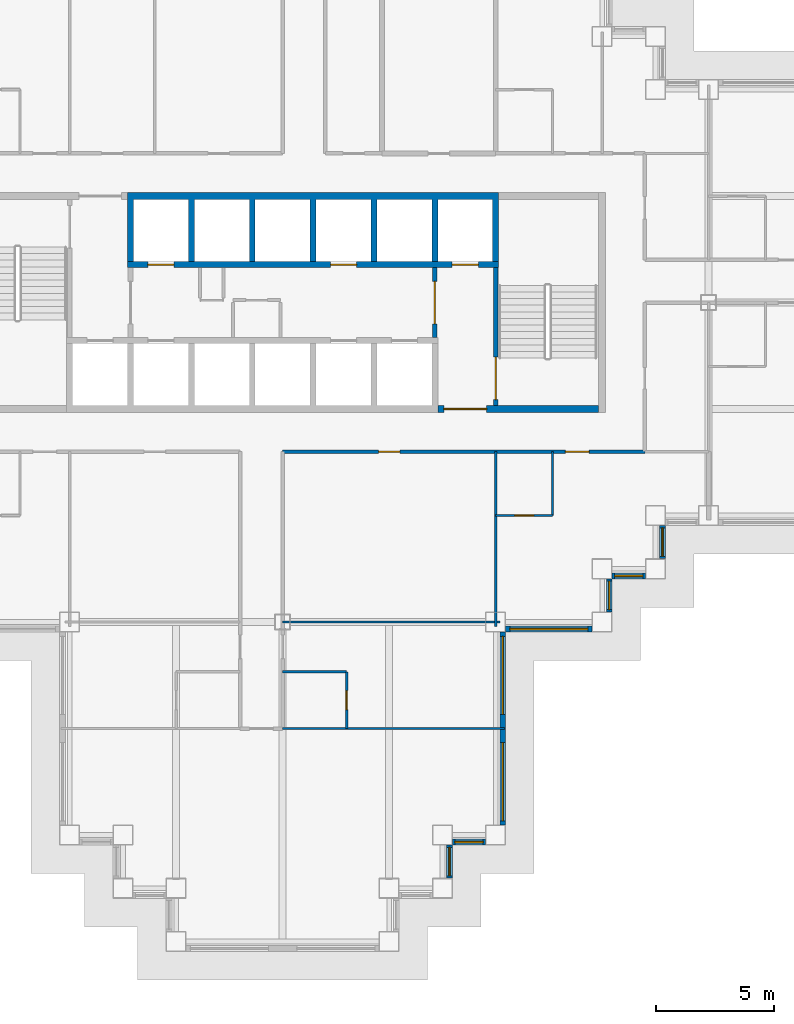
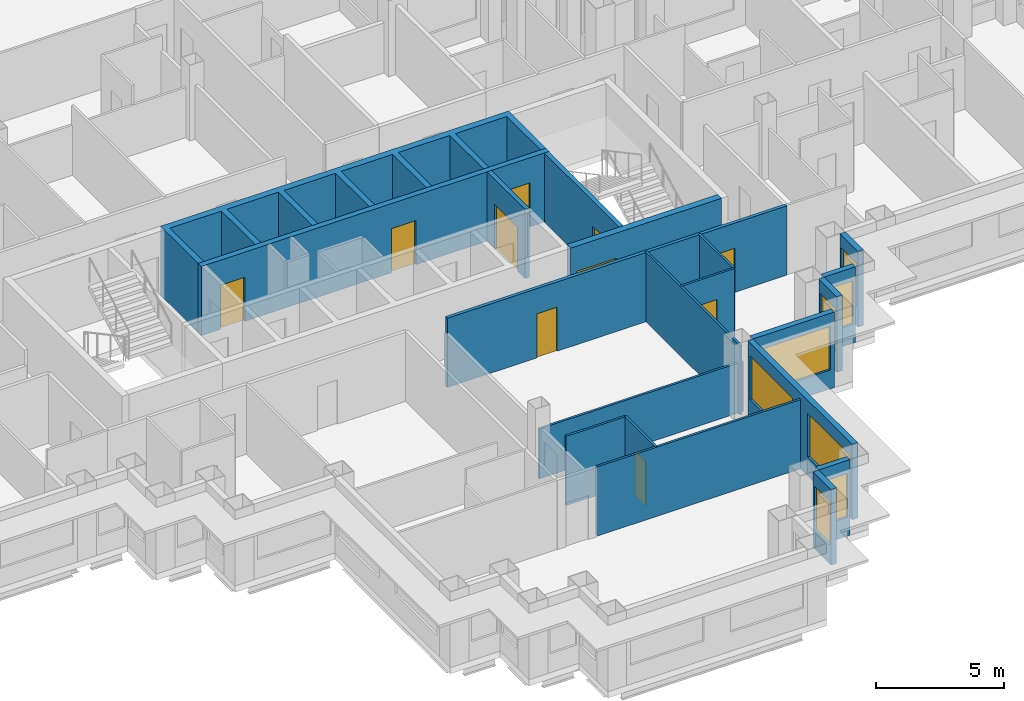
# One storey, part 6 of 15: 20 walls, 10 doors, 8 windows, 18 openings.
"""IFC4 building model written with IfcOpenShell, lengths in metres."""

import ifcopenshell
import ifcopenshell.guid

model = None  # the IFC model being written
_history = None  # IfcOwnerHistory: only IFC2X3 demands one
_inside = {}  # id of a spatial element -> (the spatial element, [elements in it])
_under = {}  # id of a project, library or spatial element -> (it, [spatial elements below it])
_declared = {}  # id of a project -> (the project, [libraries it declares])
_typed = {}  # id of a type object -> (the type object, [elements of that type])
_made_of = {}  # id of a material, layer set ... -> (it, [elements and type objects made of it])


def new_model(schema):
    """Start an empty IFC model of exactly this schema.

    Asked for "IFC4X3", IfcOpenShell would pick the latest addendum, in which some entities
    have other attributes; the version numbers below select the first issue.
    IFC2X3 requires an IfcOwnerHistory on every rooted entity: one is made here for all.
    """
    global model, _history
    if schema == "IFC4X3":
        model = ifcopenshell.file(schema_version=(4, 3, 0, 0))
    else:
        model = ifcopenshell.file(schema=schema)
    _inside.clear()
    _under.clear()
    _declared.clear()
    _typed.clear()
    _made_of.clear()
    _history = None
    if model.schema == "IFC2X3":
        org = make("IfcOrganization", Name="unknown")
        user = make(
            "IfcPersonAndOrganization",
            ThePerson=make("IfcPerson", FamilyName="unknown"),
            TheOrganization=org,
        )
        app = make(
            "IfcApplication",
            ApplicationDeveloper=org,
            Version="unknown",
            ApplicationFullName="unknown",
            ApplicationIdentifier="unknown",
        )
        _history = make(
            "IfcOwnerHistory",
            OwningUser=user,
            OwningApplication=app,
            ChangeAction="ADDED",
            CreationDate=0,
        )
    return model


def make(cls, **values):
    """One entity of the class cls with the attributes given. An attribute that is None is left unset."""
    return model.create_entity(
        cls, **{name: value for name, value in values.items() if value is not None}
    )


def rooted(cls, **values):
    """An entity with a GlobalId (a new one), such as an element, a storey or a relation."""
    return make(cls, GlobalId=ifcopenshell.guid.new(), OwnerHistory=_history, **values)


def si_unit(unit_type, name, prefix=None):
    """IfcSIUnit, for example si_unit("LENGTHUNIT", "METRE", prefix="MILLI")."""
    return make("IfcSIUnit", UnitType=unit_type, Prefix=prefix, Name=name)


def assignment(units):
    """IfcUnitAssignment: the units of a project."""
    return None if units is None else make("IfcUnitAssignment", Units=units)


def point(xyz):
    """IfcCartesianPoint."""
    return None if xyz is None else make("IfcCartesianPoint", Coordinates=xyz)


def direction(xyz):
    """IfcDirection."""
    return None if xyz is None else make("IfcDirection", DirectionRatios=xyz)


def frame(location, z_axis=None, x_axis=None):
    """IfcAxis2Placement3D, a coordinate frame: its origin and axes. An axis left out is left unset."""
    return make(
        "IfcAxis2Placement3D",
        Location=point(location),
        Axis=direction(z_axis),
        RefDirection=direction(x_axis),
    )


def frame_2d(location, x_axis=None):
    """IfcAxis2Placement2D, a coordinate frame in the plane: its origin and x axis."""
    return make(
        "IfcAxis2Placement2D", Location=point(location), RefDirection=direction(x_axis)
    )


def origin():
    """The frame at (0, 0, 0) with its axes left unset."""
    return frame((0.0, 0.0, 0.0))


def place(relative_to, where):
    """IfcLocalPlacement: puts the frame where relative to a parent placement (None: the world)."""
    return make(
        "IfcLocalPlacement", PlacementRelTo=relative_to, RelativePlacement=where
    )


def context(
    kind, dimensions, precision=None, world=None, true_north=None, identifier=None
):
    """IfcGeometricRepresentationContext, for example the 3D "Model" context."""
    return make(
        "IfcGeometricRepresentationContext",
        ContextIdentifier=identifier,
        ContextType=kind,
        CoordinateSpaceDimension=dimensions,
        Precision=precision,
        WorldCoordinateSystem=world,
        TrueNorth=true_north,
    )


def subcontext(parent, identifier, kind, view, scale=None):
    """IfcGeometricRepresentationSubContext, for example "Body" below "Model"."""
    return make(
        "IfcGeometricRepresentationSubContext",
        ContextIdentifier=identifier,
        ContextType=kind,
        ParentContext=parent,
        TargetScale=scale,
        TargetView=view,
    )


def project(units=None, contexts=None):
    """IfcProject with its units and contexts."""
    return rooted(
        "IfcProject",
        Name="project",
        RepresentationContexts=contexts,
        UnitsInContext=assignment(units),
    )


def spatial(cls, under=None, at=None, **own):
    """A site, building, storey or space (cls), placed at a placement, below another one or the project."""
    s = rooted(cls, ObjectPlacement=at, **own)
    if under is not None:
        _under.setdefault(under.id(), (under, []))[1].append(s)
    return s


def polyline(points):
    """IfcPolyline through the points."""
    return make("IfcPolyline", Points=[point(p) for p in points])


def profile(cls, at=None, kind="AREA", **sizes):
    """A parametric profile (cls). Its sizes go by their IFC names, for example OverallWidth=200.0."""
    return make(cls, ProfileType=kind, Position=at, **sizes)


def rectangle(**sizes):
    """IfcRectangleProfileDef."""
    return profile("IfcRectangleProfileDef", **sizes)


def outline(outer, holes=None, kind="AREA"):
    """IfcArbitraryClosedProfileDef: a profile drawn as a closed curve; with holes, ...WithVoids."""
    if holes is None:
        return make("IfcArbitraryClosedProfileDef", ProfileType=kind, OuterCurve=outer)
    return make(
        "IfcArbitraryProfileDefWithVoids",
        ProfileType=kind,
        OuterCurve=outer,
        InnerCurves=holes,
    )


def extrude(swept, where, along, depth):
    """IfcExtrudedAreaSolid: the profile swept, set in the frame where, extruded along a direction by depth."""
    return make(
        "IfcExtrudedAreaSolid",
        SweptArea=swept,
        Position=where,
        ExtrudedDirection=direction(along),
        Depth=depth,
    )


def shape(context_of_items, identifier, shape_type, items):
    """IfcShapeRepresentation: the items that make up one representation, for example the "Body"."""
    return make(
        "IfcShapeRepresentation",
        ContextOfItems=context_of_items,
        RepresentationIdentifier=identifier,
        RepresentationType=shape_type,
        Items=items,
    )


def material(Name=None, Category=None):
    """IfcMaterial."""
    return make("IfcMaterial", Name=Name, Category=Category)


def layer(
    of_material, thickness, ventilated=None, Name=None, Category=None, Priority=None
):
    """IfcMaterialLayer: one layer of a wall or slab, of a material (None: an air gap)."""
    return make(
        "IfcMaterialLayer",
        Material=of_material,
        LayerThickness=thickness,
        IsVentilated=ventilated,
        Name=Name,
        Category=Category,
        Priority=Priority,
    )


def layer_set(layers, Name=None):
    """IfcMaterialLayerSet."""
    return make("IfcMaterialLayerSet", MaterialLayers=layers, LayerSetName=Name)


def made_of(thing, what):
    """Note that an element or type object is made of a material, layer set ...; save() writes the relation."""
    if what is not None:
        _made_of.setdefault(what.id(), (what, []))[1].append(thing)
    return thing


def type_object(cls, material=None, **own):
    """A type object (cls), such as IfcWallType, which elements share."""
    return made_of(rooted(cls, **own), material)


def element(
    cls,
    number,
    at=None,
    inside=None,
    cuts=None,
    type_object=None,
    material=None,
    context=None,
    identifier="Body",
    shape_type=None,
    held_by="IfcProductDefinitionShape",
    body=None,
    shapes=None,
    **own,
):
    """One element of the class cls, such as IfcWall. Its Tag is "e" and its number.

    at: its placement. inside: the storey or other place that contains it. cuts: it is an
    opening in that element (IfcRelVoidsElement). A single representation is given by context,
    identifier, shape_type and body (its items); several are given by shapes. held_by: the class
    of the entity that holds the representations. save() writes the other relations.
    """
    e = rooted(cls, Tag="e%d" % number, ObjectPlacement=at, **own)
    if body is not None:
        shapes = [shape(context, identifier, shape_type, body)]
    if shapes is not None:
        e.Representation = make(held_by, Representations=shapes)
    if inside is not None:
        _inside.setdefault(inside.id(), (inside, []))[1].append(e)
    if cuts is not None:
        rooted(
            "IfcRelVoidsElement", RelatingBuildingElement=cuts, RelatedOpeningElement=e
        )
    if type_object is not None:
        _typed.setdefault(type_object.id(), (type_object, []))[1].append(e)
    return made_of(e, material)


def fill(opening, filler):
    """IfcRelFillsElement: the door or window that sits in an opening."""
    return rooted(
        "IfcRelFillsElement",
        RelatingOpeningElement=opening,
        RelatedBuildingElement=filler,
    )


def aggregate(whole, parts):
    """IfcRelAggregates: a whole, such as a stair, and the parts it consists of."""
    return rooted("IfcRelAggregates", RelatingObject=whole, RelatedObjects=parts)


def save(model, path):
    """Write the relations noted so far, then the file.

    IfcRelAggregates (storeys below a building ...), IfcRelContainedInSpatialStructure (elements
    in a storey), IfcRelDefinesByType, IfcRelAssociatesMaterial and IfcRelDeclares: one each for
    every whole, place, type object, material and project.
    """
    for whole, parts in _under.values():
        aggregate(whole, parts)
    for where, things in _inside.values():
        rooted(
            "IfcRelContainedInSpatialStructure",
            RelatedElements=things,
            RelatingStructure=where,
        )
    for kind, things in _typed.values():
        rooted("IfcRelDefinesByType", RelatedObjects=things, RelatingType=kind)
    for what, things in _made_of.values():
        rooted("IfcRelAssociatesMaterial", RelatedObjects=things, RelatingMaterial=what)
    for by, libraries in _declared.values():
        rooted("IfcRelDeclares", RelatingContext=by, RelatedDefinitions=libraries)
    model.write(path)


model = new_model("IFC4")

# Units and contexts
model_context = context("Model", 3, precision=1e-05, world=origin(), true_north=direction((0.0, 1.0)))
body_context = subcontext(model_context, "Body", "Model", "MODEL_VIEW")
ifc_project = project(units=[si_unit("LENGTHUNIT", "METRE"), si_unit("AREAUNIT", "SQUARE_METRE"), si_unit("VOLUMEUNIT", "CUBIC_METRE"), si_unit("PLANEANGLEUNIT", "RADIAN"), si_unit("MASSUNIT", "GRAM", prefix="KILO")], contexts=[model_context])

# Site, building, storey
site_placement = place(None, origin())
site = spatial("IfcSite", under=ifc_project, at=site_placement, CompositionType="ELEMENT")
building_placement = place(site_placement, origin())
building = spatial("IfcBuilding", under=site, at=building_placement, Name="Caravel Reach Hotel and Residences", CompositionType="ELEMENT")
storey_placement = place(building_placement, frame((0.0, 0.0, 122.39990234375)))
storey = spatial("IfcBuildingStorey", under=building, at=storey_placement, Name="L30", CompositionType="ELEMENT", Elevation=122.39990234375)

# Wall
ifc_material_1 = material(Name="Gypsum board on steel stud", Category="steel")
ifc_layer_1 = layer(ifc_material_1, 0.10009765625)
ifc_layer_set_1 = layer_set([ifc_layer_1], Name="Bathroom pod wall 100 mm")
wall_type_1 = type_object("IfcWallType", Name="Bathroom pod wall 100 mm", PredefinedType="PARTITIONING", material=ifc_layer_set_1)
wall_1_placement = place(storey_placement, frame((31.5, 11.39990234375, 0.0), z_axis=(0.0, 0.0, 1.0), x_axis=(1.0, 0.0, 0.0)))
element("IfcWall", 1, at=wall_1_placement, inside=storey, type_object=wall_type_1, Name="L30 wall w067", PredefinedType="PARTITIONING", context=body_context, shape_type="SweptSolid", body=[
    extrude(rectangle(XDim=2.699951171875, YDim=0.10009765625, at=frame_2d((1.35009765625, 0.0))), origin(), (0.0, 0.0, 1.0), 3.300048828125),
])

# Wall, opening, door
wall_2_placement = place(storey_placement, frame((40.5, 18.0, 0.0), z_axis=(0.0, 0.0, 1.0), x_axis=(1.0, 0.0, 0.0)))
wall_2 = element("IfcWall", 2, at=wall_2_placement, inside=storey, type_object=wall_type_1, Name="L30 wall w070", PredefinedType="PARTITIONING", context=body_context, shape_type="SweptSolid", body=[
    extrude(rectangle(XDim=2.39990234375, YDim=0.10009765625, at=frame_2d((1.199951171875, 0.0))), origin(), (0.0, 0.0, 1.0), 3.300048828125),
])
opening_1_placement = place(wall_2_placement, frame((0.800048828125, 0.0, 0.0)))
opening_1 = element("IfcOpeningElement", 3, at=opening_1_placement, cuts=wall_2, Name="Opening D30-049", PredefinedType="OPENING", context=body_context, shape_type="SweptSolid", body=[
    extrude(rectangle(XDim=0.800048828125, YDim=2.10009765625, at=frame_2d((0.39990234375, 1.050048828125))), frame((0.0, 0.06005859375, 0.0), z_axis=(0.0, -1.0, 0.0), x_axis=(1.0, 0.0, 0.0)), (0.0, 0.0, 1.0), 0.1201171875),
])
ifc_material_2 = material(Name="Timber and steel door leaf", Category="steel")
door_type_1 = type_object("IfcDoorType", Name="Bathroom door 800 x 2100", OperationType="SINGLE_SWING_LEFT", PredefinedType="DOOR", material=ifc_material_2)
door_1_placement = place(opening_1_placement, origin())
door_1 = element("IfcDoor", 4, at=door_1_placement, inside=storey, type_object=door_type_1, Name="door D30-049", OperationType="SINGLE_SWING_LEFT", OverallHeight=2.10009765625, OverallWidth=0.800048828125, PredefinedType="DOOR", context=body_context, shape_type="SweptSolid", body=[
    extrude(rectangle(XDim=0.800048828125, YDim=2.10009765625, at=frame_2d((0.39990234375, 1.050048828125))), frame((0.0, 0.02490234375, 0.0), z_axis=(0.0, -1.0, 0.0), x_axis=(1.0, 0.0, 0.0)), (0.0, 0.0, 1.0), 0.050048828125),
])
fill(opening_1, door_1)

wall_3_placement = place(storey_placement, frame((34.199951171875, 9.0, 0.0), z_axis=(0.0, 0.0, 1.0), x_axis=(0.0, 1.0, 0.0)))
wall_3 = element("IfcWall", 5, at=wall_3_placement, inside=storey, type_object=wall_type_1, Name="L30 wall w088", PredefinedType="PARTITIONING", context=body_context, shape_type="SweptSolid", body=[
    extrude(rectangle(XDim=2.39990234375, YDim=0.10009765625, at=frame_2d((1.199951171875, 0.0))), origin(), (0.0, 0.0, 1.0), 3.300048828125),
])
opening_2_placement = place(wall_3_placement, frame((0.800048828125, 0.0, 0.0)))
opening_2 = element("IfcOpeningElement", 6, at=opening_2_placement, cuts=wall_3, Name="Opening D30-035", PredefinedType="OPENING", context=body_context, shape_type="SweptSolid", body=[
    extrude(rectangle(XDim=0.800048828125, YDim=2.10009765625, at=frame_2d((0.39990234375, 1.050048828125))), frame((0.0, 0.06005859375, 0.0), z_axis=(0.0, -1.0, 0.0), x_axis=(1.0, 0.0, 0.0)), (0.0, 0.0, 1.0), 0.1201171875),
])
door_2_placement = place(opening_2_placement, origin())
door_2 = element("IfcDoor", 7, at=door_2_placement, inside=storey, type_object=door_type_1, Name="door D30-035", OperationType="SINGLE_SWING_LEFT", OverallHeight=2.10009765625, OverallWidth=0.800048828125, PredefinedType="DOOR", context=body_context, shape_type="SweptSolid", body=[
    extrude(rectangle(XDim=0.800048828125, YDim=2.10009765625, at=frame_2d((0.39990234375, 1.050048828125))), frame((0.0, 0.02490234375, 0.0), z_axis=(0.0, -1.0, 0.0), x_axis=(1.0, 0.0, 0.0)), (0.0, 0.0, 1.0), 0.050048828125),
])
fill(opening_2, door_2)

# Wall
wall_4_placement = place(storey_placement, frame((42.89990234375, 18.0, 0.0), z_axis=(0.0, 0.0, 1.0), x_axis=(0.0, 1.0, 0.0)))
element("IfcWall", 8, at=wall_4_placement, inside=storey, type_object=wall_type_1, Name="L30 wall w091", PredefinedType="PARTITIONING", context=body_context, shape_type="SweptSolid", body=[
    extrude(rectangle(XDim=2.699951171875, YDim=0.10009765625, at=frame_2d((1.35009765625, 0.0))), origin(), (0.0, 0.0, 1.0), 3.300048828125),
])

# Wall, opening, door
ifc_material_3 = material(Name="Concrete C60", Category="concrete")
ifc_layer_2 = layer(ifc_material_3, 0.300048828125)
ifc_layer_set_2 = layer_set([ifc_layer_2], Name="Core wall 300 mm EI 120")
wall_type_2 = type_object("IfcWallType", Name="Core wall 300 mm EI 120", PredefinedType="SHEAR", material=ifc_layer_set_2)
wall_5_placement = place(storey_placement, frame((38.053466796875, 22.5, 0.0), z_axis=(0.0, 0.0, 1.0), x_axis=(1.0, 0.0, 0.0)))
wall_5 = element("IfcWall", 9, at=wall_5_placement, inside=storey, type_object=wall_type_2, Name="L30 core wall S2", PredefinedType="SHEAR", context=body_context, shape_type="SweptSolid", body=[
    extrude(rectangle(XDim=6.796630859375, YDim=0.300048828125, at=frame_2d((3.3984375, 0.0))), origin(), (0.0, 0.0, 1.0), 3.300048828125),
])
opening_3_placement = place(wall_5_placement, frame((0.2607421875, 0.0, 0.0)))
opening_3 = element("IfcOpeningElement", 10, at=opening_3_placement, cuts=wall_5, Name="Opening D30-015", PredefinedType="OPENING", context=body_context, shape_type="SweptSolid", body=[
    extrude(rectangle(XDim=1.800048828125, YDim=2.10009765625, at=frame_2d((0.89990234375, 1.050048828125))), frame((0.0, 0.159912109375, 0.0), z_axis=(0.0, -1.0, 0.0), x_axis=(1.0, 0.0, 0.0)), (0.0, 0.0, 1.0), 0.320068359375),
])
ifc_material_4 = material(Name="Steel fire door leaf", Category="steel")
door_type_2 = type_object("IfcDoorType", Name="Fire lobby door pair 1800 x 2100 EI 90", OperationType="DOUBLE_DOOR_SINGLE_SWING", PredefinedType="DOOR", material=ifc_material_4)
door_3_placement = place(opening_3_placement, origin())
door_3 = element("IfcDoor", 11, at=door_3_placement, inside=storey, type_object=door_type_2, Name="lobby S door pair to corridor", OperationType="DOUBLE_DOOR_SINGLE_SWING", OverallHeight=2.10009765625, OverallWidth=1.800048828125, PredefinedType="DOOR", context=body_context, shape_type="SweptSolid", body=[
    extrude(rectangle(XDim=1.800048828125, YDim=2.10009765625, at=frame_2d((0.89990234375, 1.050048828125))), frame((0.0, 0.02490234375, 0.0), z_axis=(0.0, -1.0, 0.0), x_axis=(1.0, 0.0, 0.0)), (0.0, 0.0, 1.0), 0.050048828125),
])
fill(opening_3, door_3)

# Wall, openings, doors
ifc_material_5 = material(Name="Gypsum board on steel stud, fire-rated", Category="steel")
ifc_layer_3 = layer(ifc_material_5, 0.14990234375)
ifc_layer_set_3 = layer_set([ifc_layer_3], Name="Corridor wall 150 mm EI 60")
wall_type_3 = type_object("IfcWallType", Name="Corridor wall 150 mm EI 60", PredefinedType="PARTITIONING", material=ifc_layer_set_3)
wall_6_placement = place(storey_placement, frame((31.5, 20.699951171875, 0.0), z_axis=(0.0, 0.0, 1.0), x_axis=(1.0, 0.0, 0.0)))
wall_6 = element("IfcWall", 12, at=wall_6_placement, inside=storey, type_object=wall_type_3, Name="L30 wall w004", PredefinedType="PARTITIONING", context=body_context, shape_type="SweptSolid", body=[
    extrude(rectangle(XDim=15.300048828125, YDim=0.14990234375, at=frame_2d((7.64990234375, 0.0))), origin(), (0.0, 0.0, 1.0), 3.300048828125),
])
opening_4_placement = place(wall_6_placement, frame((11.949951171875, 0.0, 0.0)))
opening_4 = element("IfcOpeningElement", 13, at=opening_4_placement, cuts=wall_6, Name="Opening D30-048", PredefinedType="OPENING", context=body_context, shape_type="SweptSolid", body=[
    extrude(rectangle(XDim=1.0, YDim=2.10009765625, at=frame_2d((0.5, 1.050048828125))), frame((0.0, 0.0849609375, 0.0), z_axis=(0.0, -1.0, 0.0), x_axis=(1.0, 0.0, 0.0)), (0.0, 0.0, 1.0), 0.169921875),
])
opening_5_placement = place(wall_6_placement, frame((4.050048828125, 0.0, 0.0)))
opening_5 = element("IfcOpeningElement", 14, at=opening_5_placement, cuts=wall_6, Name="Opening D30-055", PredefinedType="OPENING", context=body_context, shape_type="SweptSolid", body=[
    extrude(rectangle(XDim=0.89990234375, YDim=2.10009765625, at=frame_2d((0.449951171875, 1.050048828125))), frame((0.0, 0.0849609375, 0.0), z_axis=(0.0, -1.0, 0.0), x_axis=(1.0, 0.0, 0.0)), (0.0, 0.0, 1.0), 0.169921875),
])
ifc_material_6 = material(Name="Timber and steel door leaf", Category="steel")
door_type_3 = type_object("IfcDoorType", Name="Door 900 x 2100 timber", OperationType="SINGLE_SWING_LEFT", PredefinedType="DOOR", material=ifc_material_6)
door_4_placement = place(opening_5_placement, origin())
door_4 = element("IfcDoor", 15, at=door_4_placement, inside=storey, type_object=door_type_3, Name="door D30-055", OperationType="SINGLE_SWING_LEFT", OverallHeight=2.10009765625, OverallWidth=0.89990234375, PredefinedType="DOOR", context=body_context, shape_type="SweptSolid", body=[
    extrude(rectangle(XDim=0.89990234375, YDim=2.10009765625, at=frame_2d((0.449951171875, 1.050048828125))), frame((0.0, 0.02490234375, 0.0), z_axis=(0.0, -1.0, 0.0), x_axis=(1.0, 0.0, 0.0)), (0.0, 0.0, 1.0), 0.050048828125),
])
fill(opening_5, door_4)
ifc_material_7 = material(Name="Steel fire door leaf", Category="steel")
door_type_4 = type_object("IfcDoorType", Name="Guest room door 1000 x 2100 EI 30", OperationType="SINGLE_SWING_LEFT", PredefinedType="DOOR", material=ifc_material_7)
door_5_placement = place(opening_4_placement, origin())
door_5 = element("IfcDoor", 16, at=door_5_placement, inside=storey, type_object=door_type_4, Name="door D30-048", OperationType="SINGLE_SWING_RIGHT", OverallHeight=2.10009765625, OverallWidth=1.0, PredefinedType="DOOR", context=body_context, shape_type="SweptSolid", body=[
    extrude(rectangle(XDim=1.0, YDim=2.10009765625, at=frame_2d((0.5, 1.050048828125))), frame((0.0, 0.02490234375, 0.0), z_axis=(0.0, -1.0, 0.0), x_axis=(1.0, 0.0, 0.0)), (0.0, 0.0, 1.0), 0.050048828125),
])
fill(opening_4, door_5)

# Wall, opening, window
ifc_material_8 = material(Name="Insulated rainscreen wall, aluminium cladding", Category="aluminium")
ifc_layer_4 = layer(ifc_material_8, 0.25)
ifc_layer_set_4 = layer_set([ifc_layer_4], Name="EW1 Tower rainscreen wall")
wall_type_4 = type_object("IfcWallType", Name="EW1 Tower rainscreen wall", PredefinedType="SOLIDWALL", material=ifc_layer_set_4)
wall_7_placement = place(storey_placement, frame((38.550048828125, 2.675048828125, 0.0), z_axis=(0.0, 0.0, 1.0), x_axis=(0.0, 1.0, 0.0)))
wall_7 = element("IfcWall", 17, at=wall_7_placement, inside=storey, type_object=wall_type_4, Name="External wall L30 E8.1", PredefinedType="SOLIDWALL", context=body_context, shape_type="SweptSolid", body=[
    extrude(rectangle(XDim=1.39990234375, YDim=0.25, at=frame_2d((0.699951171875, 0.0))), origin(), (0.0, 0.0, 1.0), 3.60009765625),
])
opening_6_placement = place(wall_7_placement, frame((0.10009765625, 0.0, 0.89990234375)))
opening_6 = element("IfcOpeningElement", 18, at=opening_6_placement, cuts=wall_7, Name="Opening WN9", PredefinedType="OPENING", context=body_context, shape_type="SweptSolid", body=[
    extrude(rectangle(XDim=1.199951171875, YDim=2.080078125, at=frame_2d((0.60009765625, 1.0400390625))), frame((0.0, 0.135009765625, 0.0), z_axis=(0.0, -1.0, 0.0), x_axis=(1.0, 0.0, 0.0)), (0.0, 0.0, 1.0), 0.27001953125),
])
ifc_material_9 = material(Name="Dark low-e glazing in black aluminium frame", Category="aluminium")
window_type_1 = type_object("IfcWindowType", Name="Hotel suite corner window 1200 x 2080", PartitioningType="SINGLE_PANEL", PredefinedType="WINDOW", material=ifc_material_9)
window_1_placement = place(opening_6_placement, origin())
window_1 = element("IfcWindow", 19, at=window_1_placement, inside=storey, type_object=window_type_1, Name="Window L30 E8.1.1", OverallHeight=2.080078125, OverallWidth=1.199951171875, PartitioningType="SINGLE_PANEL", PredefinedType="WINDOW", context=body_context, shape_type="SweptSolid", body=[
    extrude(rectangle(XDim=1.199951171875, YDim=2.080078125, at=frame_2d((0.60009765625, 1.0400390625))), frame((0.0, 0.030029296875, 0.0), z_axis=(0.0, -1.0, 0.0), x_axis=(1.0, 0.0, 0.0)), (0.0, 0.0, 1.0), 0.06005859375),
])
fill(opening_6, window_1)

wall_8_placement = place(storey_placement, frame((38.675048828125, 4.199951171875, 0.0), z_axis=(0.0, 0.0, 1.0), x_axis=(1.0, 0.0, 0.0)))
wall_8 = element("IfcWall", 20, at=wall_8_placement, inside=storey, type_object=wall_type_4, Name="External wall L30 S9.1", PredefinedType="SOLIDWALL", context=body_context, shape_type="SweptSolid", body=[
    extrude(rectangle(XDim=1.39990234375, YDim=0.25, at=frame_2d((0.699951171875, 0.0))), origin(), (0.0, 0.0, 1.0), 3.60009765625),
])
opening_7_placement = place(wall_8_placement, frame((0.10009765625, 0.0, 0.89990234375)))
opening_7 = element("IfcOpeningElement", 21, at=opening_7_placement, cuts=wall_8, Name="Opening WN9", PredefinedType="OPENING", context=body_context, shape_type="SweptSolid", body=[
    extrude(rectangle(XDim=1.199951171875, YDim=2.080078125, at=frame_2d((0.60009765625, 1.0400390625))), frame((0.0, 0.135009765625, 0.0), z_axis=(0.0, -1.0, 0.0), x_axis=(1.0, 0.0, 0.0)), (0.0, 0.0, 1.0), 0.27001953125),
])
window_2_placement = place(opening_7_placement, origin())
window_2 = element("IfcWindow", 22, at=window_2_placement, inside=storey, type_object=window_type_1, Name="Window L30 S9.1.1", OverallHeight=2.080078125, OverallWidth=1.199951171875, PartitioningType="SINGLE_PANEL", PredefinedType="WINDOW", context=body_context, shape_type="SweptSolid", body=[
    extrude(rectangle(XDim=1.199951171875, YDim=2.080078125, at=frame_2d((0.60009765625, 1.0400390625))), frame((0.0, 0.030029296875, 0.0), z_axis=(0.0, -1.0, 0.0), x_axis=(1.0, 0.0, 0.0)), (0.0, 0.0, 1.0), 0.06005859375),
])
fill(opening_7, window_2)

# Wall, openings, windows
wall_9_placement = place(storey_placement, frame((40.800048828125, 4.925048828125, 0.0), z_axis=(0.0, 0.0, 1.0), x_axis=(0.0, 1.0, 0.0)))
wall_9 = element("IfcWall", 23, at=wall_9_placement, inside=storey, type_object=wall_type_4, Name="External wall L30 E10.1", PredefinedType="SOLIDWALL", context=body_context, shape_type="SweptSolid", body=[
    extrude(rectangle(XDim=8.14990234375, YDim=0.25, at=frame_2d((4.074951171875, 0.0))), origin(), (0.0, 0.0, 1.0), 3.60009765625),
])
opening_8_placement = place(wall_9_placement, frame((0.175048828125, 0.0, 0.89990234375)))
opening_8 = element("IfcOpeningElement", 24, at=opening_8_placement, cuts=wall_9, Name="Opening WN4", PredefinedType="OPENING", context=body_context, shape_type="SweptSolid", body=[
    extrude(rectangle(XDim=3.300048828125, YDim=2.080078125, at=frame_2d((1.64990234375, 1.0400390625))), frame((0.0, 0.135009765625, 0.0), z_axis=(0.0, -1.0, 0.0), x_axis=(1.0, 0.0, 0.0)), (0.0, 0.0, 1.0), 0.27001953125),
])
opening_9_placement = place(wall_9_placement, frame((4.675048828125, 0.0, 0.89990234375)))
opening_9 = element("IfcOpeningElement", 25, at=opening_9_placement, cuts=wall_9, Name="Opening WN4", PredefinedType="OPENING", context=body_context, shape_type="SweptSolid", body=[
    extrude(rectangle(XDim=3.300048828125, YDim=2.080078125, at=frame_2d((1.64990234375, 1.0400390625))), frame((0.0, 0.135009765625, 0.0), z_axis=(0.0, -1.0, 0.0), x_axis=(1.0, 0.0, 0.0)), (0.0, 0.0, 1.0), 0.27001953125),
])
ifc_material_10 = material(Name="Dark low-e glazing in black aluminium frame", Category="aluminium")
window_type_2 = type_object("IfcWindowType", Name="Hotel guest room window 3300 x 2080", PartitioningType="SINGLE_PANEL", PredefinedType="WINDOW", material=ifc_material_10)
window_3_placement = place(opening_8_placement, origin())
window_3 = element("IfcWindow", 26, at=window_3_placement, inside=storey, type_object=window_type_2, Name="Window L30 E10.1.1", OverallHeight=2.080078125, OverallWidth=3.300048828125, PartitioningType="SINGLE_PANEL", PredefinedType="WINDOW", context=body_context, shape_type="SweptSolid", body=[
    extrude(rectangle(XDim=3.300048828125, YDim=2.080078125, at=frame_2d((1.64990234375, 1.0400390625))), frame((0.0, 0.030029296875, 0.0), z_axis=(0.0, -1.0, 0.0), x_axis=(1.0, 0.0, 0.0)), (0.0, 0.0, 1.0), 0.06005859375),
])
fill(opening_8, window_3)
window_4_placement = place(opening_9_placement, origin())
window_4 = element("IfcWindow", 27, at=window_4_placement, inside=storey, type_object=window_type_2, Name="Window L30 E10.1.2", OverallHeight=2.080078125, OverallWidth=3.300048828125, PartitioningType="SINGLE_PANEL", PredefinedType="WINDOW", context=body_context, shape_type="SweptSolid", body=[
    extrude(rectangle(XDim=3.300048828125, YDim=2.080078125, at=frame_2d((1.64990234375, 1.0400390625))), frame((0.0, 0.030029296875, 0.0), z_axis=(0.0, -1.0, 0.0), x_axis=(1.0, 0.0, 0.0)), (0.0, 0.0, 1.0), 0.06005859375),
])
fill(opening_9, window_4)

# Wall, opening, window
wall_10_placement = place(storey_placement, frame((40.925048828125, 13.199951171875, 0.0), z_axis=(0.0, 0.0, 1.0), x_axis=(1.0, 0.0, 0.0)))
wall_10 = element("IfcWall", 28, at=wall_10_placement, inside=storey, type_object=wall_type_4, Name="External wall L30 S11.1", PredefinedType="SOLIDWALL", context=body_context, shape_type="SweptSolid", body=[
    extrude(rectangle(XDim=3.64990234375, YDim=0.25, at=frame_2d((1.824951171875, 0.0))), origin(), (0.0, 0.0, 1.0), 3.60009765625),
])
opening_10_placement = place(wall_10_placement, frame((0.175048828125, 0.0, 0.89990234375)))
opening_10 = element("IfcOpeningElement", 29, at=opening_10_placement, cuts=wall_10, Name="Opening WN4", PredefinedType="OPENING", context=body_context, shape_type="SweptSolid", body=[
    extrude(rectangle(XDim=3.300048828125, YDim=2.080078125, at=frame_2d((1.64990234375, 1.0400390625))), frame((0.0, 0.135009765625, 0.0), z_axis=(0.0, -1.0, 0.0), x_axis=(1.0, 0.0, 0.0)), (0.0, 0.0, 1.0), 0.27001953125),
])
window_5_placement = place(opening_10_placement, origin())
window_5 = element("IfcWindow", 30, at=window_5_placement, inside=storey, type_object=window_type_2, Name="Window L30 S11.1.1", OverallHeight=2.080078125, OverallWidth=3.300048828125, PartitioningType="SINGLE_PANEL", PredefinedType="WINDOW", context=body_context, shape_type="SweptSolid", body=[
    extrude(rectangle(XDim=3.300048828125, YDim=2.080078125, at=frame_2d((1.64990234375, 1.0400390625))), frame((0.0, 0.030029296875, 0.0), z_axis=(0.0, -1.0, 0.0), x_axis=(1.0, 0.0, 0.0)), (0.0, 0.0, 1.0), 0.06005859375),
])
fill(opening_10, window_5)

wall_11_placement = place(storey_placement, frame((45.300048828125, 13.925048828125, 0.0), z_axis=(0.0, 0.0, 1.0), x_axis=(0.0, 1.0, 0.0)))
wall_11 = element("IfcWall", 31, at=wall_11_placement, inside=storey, type_object=wall_type_4, Name="External wall L30 E12.1", PredefinedType="SOLIDWALL", context=body_context, shape_type="SweptSolid", body=[
    extrude(rectangle(XDim=1.39990234375, YDim=0.25, at=frame_2d((0.699951171875, 0.0))), origin(), (0.0, 0.0, 1.0), 3.60009765625),
])
opening_11_placement = place(wall_11_placement, frame((0.10009765625, 0.0, 0.89990234375)))
opening_11 = element("IfcOpeningElement", 32, at=opening_11_placement, cuts=wall_11, Name="Opening WN9", PredefinedType="OPENING", context=body_context, shape_type="SweptSolid", body=[
    extrude(rectangle(XDim=1.199951171875, YDim=2.080078125, at=frame_2d((0.60009765625, 1.0400390625))), frame((0.0, 0.135009765625, 0.0), z_axis=(0.0, -1.0, 0.0), x_axis=(1.0, 0.0, 0.0)), (0.0, 0.0, 1.0), 0.27001953125),
])
window_6_placement = place(opening_11_placement, origin())
window_6 = element("IfcWindow", 33, at=window_6_placement, inside=storey, type_object=window_type_1, Name="Window L30 E12.1.1", OverallHeight=2.080078125, OverallWidth=1.199951171875, PartitioningType="SINGLE_PANEL", PredefinedType="WINDOW", context=body_context, shape_type="SweptSolid", body=[
    extrude(rectangle(XDim=1.199951171875, YDim=2.080078125, at=frame_2d((0.60009765625, 1.0400390625))), frame((0.0, 0.030029296875, 0.0), z_axis=(0.0, -1.0, 0.0), x_axis=(1.0, 0.0, 0.0)), (0.0, 0.0, 1.0), 0.06005859375),
])
fill(opening_11, window_6)

wall_12_placement = place(storey_placement, frame((45.425048828125, 15.449951171875, 0.0), z_axis=(0.0, 0.0, 1.0), x_axis=(1.0, 0.0, 0.0)))
wall_12 = element("IfcWall", 34, at=wall_12_placement, inside=storey, type_object=wall_type_4, Name="External wall L30 S13.1", PredefinedType="SOLIDWALL", context=body_context, shape_type="SweptSolid", body=[
    extrude(rectangle(XDim=1.39990234375, YDim=0.25, at=frame_2d((0.699951171875, 0.0))), origin(), (0.0, 0.0, 1.0), 3.60009765625),
])
opening_12_placement = place(wall_12_placement, frame((0.10009765625, 0.0, 0.89990234375)))
opening_12 = element("IfcOpeningElement", 35, at=opening_12_placement, cuts=wall_12, Name="Opening WN9", PredefinedType="OPENING", context=body_context, shape_type="SweptSolid", body=[
    extrude(rectangle(XDim=1.199951171875, YDim=2.080078125, at=frame_2d((0.60009765625, 1.0400390625))), frame((0.0, 0.135009765625, 0.0), z_axis=(0.0, -1.0, 0.0), x_axis=(1.0, 0.0, 0.0)), (0.0, 0.0, 1.0), 0.27001953125),
])
window_7_placement = place(opening_12_placement, origin())
window_7 = element("IfcWindow", 36, at=window_7_placement, inside=storey, type_object=window_type_1, Name="Window L30 S13.1.1", OverallHeight=2.080078125, OverallWidth=1.199951171875, PartitioningType="SINGLE_PANEL", PredefinedType="WINDOW", context=body_context, shape_type="SweptSolid", body=[
    extrude(rectangle(XDim=1.199951171875, YDim=2.080078125, at=frame_2d((0.60009765625, 1.0400390625))), frame((0.0, 0.030029296875, 0.0), z_axis=(0.0, -1.0, 0.0), x_axis=(1.0, 0.0, 0.0)), (0.0, 0.0, 1.0), 0.06005859375),
])
fill(opening_12, window_7)

wall_13_placement = place(storey_placement, frame((47.550048828125, 16.175048828125, 0.0), z_axis=(0.0, 0.0, 1.0), x_axis=(0.0, 1.0, 0.0)))
wall_13 = element("IfcWall", 37, at=wall_13_placement, inside=storey, type_object=wall_type_4, Name="External wall L30 E14.1", PredefinedType="SOLIDWALL", context=body_context, shape_type="SweptSolid", body=[
    extrude(rectangle(XDim=1.39990234375, YDim=0.25, at=frame_2d((0.699951171875, 0.0))), origin(), (0.0, 0.0, 1.0), 3.60009765625),
])
opening_13_placement = place(wall_13_placement, frame((0.10009765625, 0.0, 0.89990234375)))
opening_13 = element("IfcOpeningElement", 38, at=opening_13_placement, cuts=wall_13, Name="Opening WN9", PredefinedType="OPENING", context=body_context, shape_type="SweptSolid", body=[
    extrude(rectangle(XDim=1.199951171875, YDim=2.080078125, at=frame_2d((0.60009765625, 1.0400390625))), frame((0.0, 0.135009765625, 0.0), z_axis=(0.0, -1.0, 0.0), x_axis=(1.0, 0.0, 0.0)), (0.0, 0.0, 1.0), 0.27001953125),
])
window_8_placement = place(opening_13_placement, origin())
window_8 = element("IfcWindow", 39, at=window_8_placement, inside=storey, type_object=window_type_1, Name="Window L30 E14.1.1", OverallHeight=2.080078125, OverallWidth=1.199951171875, PartitioningType="SINGLE_PANEL", PredefinedType="WINDOW", context=body_context, shape_type="SweptSolid", body=[
    extrude(rectangle(XDim=1.199951171875, YDim=2.080078125, at=frame_2d((0.60009765625, 1.0400390625))), frame((0.0, 0.030029296875, 0.0), z_axis=(0.0, -1.0, 0.0), x_axis=(1.0, 0.0, 0.0)), (0.0, 0.0, 1.0), 0.06005859375),
])
fill(opening_13, window_8)

# Wall, opening, door
ifc_material_11 = material(Name="Autoclaved aerated block wall")
ifc_layer_5 = layer(ifc_material_11, 0.199951171875)
ifc_layer_set_5 = layer_set([ifc_layer_5], Name="Fire lobby wall 200 mm EI 120")
wall_type_5 = type_object("IfcWallType", Name="Fire lobby wall 200 mm EI 120", PredefinedType="PARTITIONING", material=ifc_layer_set_5)
wall_14_placement = place(storey_placement, frame((37.928466796875, 25.52490234375, 0.0), z_axis=(0.0, 0.0, 1.0), x_axis=(0.0, 1.0, 0.0)))
wall_14 = element("IfcWall", 40, at=wall_14_placement, inside=storey, type_object=wall_type_5, Name="L30 lobby E wall", PredefinedType="PARTITIONING", context=body_context, shape_type="SweptSolid", body=[
    extrude(rectangle(XDim=2.9501953125, YDim=0.199951171875, at=frame_2d((1.47509765625, 0.0))), origin(), (0.0, 0.0, 1.0), 3.300048828125),
])
opening_14_placement = place(wall_14_placement, frame((0.574951171875, 0.0, 0.0)))
opening_14 = element("IfcOpeningElement", 41, at=opening_14_placement, cuts=wall_14, Name="Opening D30-013", PredefinedType="OPENING", context=body_context, shape_type="SweptSolid", body=[
    extrude(rectangle(XDim=1.800048828125, YDim=2.10009765625, at=frame_2d((0.89990234375, 1.050048828125))), frame((0.0, 0.10986328125, 0.0), z_axis=(0.0, -1.0, 0.0), x_axis=(1.0, 0.0, 0.0)), (0.0, 0.0, 1.0), 0.219970703125),
])
door_6_placement = place(opening_14_placement, origin())
door_6 = element("IfcDoor", 42, at=door_6_placement, inside=storey, type_object=door_type_2, Name="lobby E door pair", OperationType="DOUBLE_DOOR_SINGLE_SWING", OverallHeight=2.10009765625, OverallWidth=1.800048828125, PredefinedType="DOOR", context=body_context, shape_type="SweptSolid", body=[
    extrude(rectangle(XDim=1.800048828125, YDim=2.10009765625, at=frame_2d((0.89990234375, 1.050048828125))), frame((0.0, 0.02490234375, 0.0), z_axis=(0.0, -1.0, 0.0), x_axis=(1.0, 0.0, 0.0)), (0.0, 0.0, 1.0), 0.050048828125),
])
fill(opening_14, door_6)

# Walls
ifc_material_12 = material(Name="Gypsum board on steel stud", Category="steel")
ifc_layer_6 = layer(ifc_material_12, 0.10009765625)
ifc_layer_set_6 = layer_set([ifc_layer_6], Name="Partition 100 mm")
wall_type_6 = type_object("IfcWallType", Name="Partition 100 mm", PredefinedType="PARTITIONING", material=ifc_layer_set_6)
wall_15_placement = place(storey_placement, frame((31.5, 13.5, 0.0), z_axis=(0.0, 0.0, 1.0), x_axis=(1.0, 0.0, 0.0)))
element("IfcWall", 43, at=wall_15_placement, inside=storey, type_object=wall_type_6, Name="L30 wall w037", PredefinedType="PARTITIONING", context=body_context, shape_type="SweptSolid", body=[
    extrude(rectangle(XDim=9.18994140625, YDim=0.10009765625, at=frame_2d((4.594970703125, 0.0))), origin(), (0.0, 0.0, 1.0), 2.380126953125),
])
wall_16_placement = place(storey_placement, frame((31.5, 9.0, 0.0), z_axis=(0.0, 0.0, 1.0), x_axis=(1.0, 0.0, 0.0)))
element("IfcWall", 44, at=wall_16_placement, inside=storey, type_object=wall_type_6, Name="L30 wall w047", PredefinedType="PARTITIONING", context=body_context, shape_type="SweptSolid", body=[
    extrude(rectangle(XDim=9.364990234375, YDim=0.10009765625, at=frame_2d((4.6826171875, 0.0))), origin(), (0.0, 0.0, 1.0), 3.300048828125),
])
wall_17_placement = place(storey_placement, frame((40.5, 13.31005859375, 0.0), z_axis=(0.0, 0.0, 1.0), x_axis=(0.0, 1.0, 0.0)))
element("IfcWall", 45, at=wall_17_placement, inside=storey, type_object=wall_type_6, Name="L30 wall w054", PredefinedType="PARTITIONING", context=body_context, shape_type="SweptSolid", body=[
    extrude(rectangle(XDim=7.389892578125, YDim=0.10009765625, at=frame_2d((3.69482421875, 0.0))), origin(), (0.0, 0.0, 1.0), 3.300048828125),
])
ifc_material_13 = material(Name="Concrete C60", Category="concrete")
ifc_layer_7 = layer(ifc_material_13, 0.25)
ifc_layer_set_7 = layer_set([ifc_layer_7], Name="Shaft wall 250 mm EI 120")
wall_type_7 = type_object("IfcWallType", Name="Shaft wall 250 mm EI 120", PredefinedType="SHEAR", material=ifc_layer_set_7)
wall_18_placement = place(storey_placement, origin())
element("IfcWall", 46, at=wall_18_placement, inside=storey, type_object=wall_type_7, Name="L30 lift shaft wall N1", PredefinedType="SHEAR", context=body_context, shape_type="SweptSolid", body=[
    extrude(outline(polyline([(24.946533203125, 28.72509765625), (25.196533203125, 28.72509765625), (25.196533203125, 31.35009765625), (27.517822265625, 31.35009765625), (27.517822265625, 28.72509765625), (27.767822265625, 28.72509765625), (27.767822265625, 31.35009765625), (30.08935546875, 31.35009765625), (30.08935546875, 28.72509765625), (30.33935546875, 28.72509765625), (30.33935546875, 31.35009765625), (32.66064453125, 31.35009765625), (32.66064453125, 28.72509765625), (32.91064453125, 28.72509765625), (32.91064453125, 31.35009765625), (35.232177734375, 31.35009765625), (35.232177734375, 28.72509765625), (35.482177734375, 28.72509765625), (35.482177734375, 31.35009765625), (37.803466796875, 31.35009765625), (37.803466796875, 28.72509765625), (38.053466796875, 28.72509765625), (38.053466796875, 31.35009765625), (40.375, 31.35009765625), (40.375, 28.72509765625), (40.625, 28.72509765625), (40.625, 31.64990234375), (24.946533203125, 31.64990234375), (24.946533203125, 28.72509765625)])), origin(), (0.0, 0.0, 1.0), 3.300048828125),
])

# Wall, openings, doors
wall_19_placement = place(storey_placement, frame((24.946533203125, 28.60009765625, 0.0), z_axis=(0.0, 0.0, 1.0), x_axis=(1.0, 0.0, 0.0)))
wall_19 = element("IfcWall", 47, at=wall_19_placement, inside=storey, type_object=wall_type_7, Name="L30 lobby wall N1", PredefinedType="SHEAR", context=body_context, shape_type="SweptSolid", body=[
    extrude(rectangle(XDim=15.678466796875, YDim=0.25, at=frame_2d((7.83935546875, 0.0))), origin(), (0.0, 0.0, 1.0), 3.300048828125),
])
opening_15_placement = place(wall_19_placement, frame((0.860595703125, 0.0, 0.0)))
opening_15 = element("IfcOpeningElement", 48, at=opening_15_placement, cuts=wall_19, Name="Opening D30-004", PredefinedType="OPENING", context=body_context, shape_type="SweptSolid", body=[
    extrude(rectangle(XDim=1.10009765625, YDim=2.10009765625, at=frame_2d((0.550048828125, 1.050048828125))), frame((0.0, 0.135009765625, 0.0), z_axis=(0.0, -1.0, 0.0), x_axis=(1.0, 0.0, 0.0)), (0.0, 0.0, 1.0), 0.27001953125),
])
opening_16_placement = place(wall_19_placement, frame((8.574951171875, 0.0, 0.0)))
opening_16 = element("IfcOpeningElement", 49, at=opening_16_placement, cuts=wall_19, Name="Opening D30-005", PredefinedType="OPENING", context=body_context, shape_type="SweptSolid", body=[
    extrude(rectangle(XDim=1.10009765625, YDim=2.10009765625, at=frame_2d((0.550048828125, 1.050048828125))), frame((0.0, 0.135009765625, 0.0), z_axis=(0.0, -1.0, 0.0), x_axis=(1.0, 0.0, 0.0)), (0.0, 0.0, 1.0), 0.27001953125),
])
opening_17_placement = place(wall_19_placement, frame((13.718017578125, 0.0, 0.0)))
opening_17 = element("IfcOpeningElement", 50, at=opening_17_placement, cuts=wall_19, Name="Opening D30-007", PredefinedType="OPENING", context=body_context, shape_type="SweptSolid", body=[
    extrude(rectangle(XDim=1.10009765625, YDim=2.10009765625, at=frame_2d((0.550048828125, 1.050048828125))), frame((0.0, 0.135009765625, 0.0), z_axis=(0.0, -1.0, 0.0), x_axis=(1.0, 0.0, 0.0)), (0.0, 0.0, 1.0), 0.27001953125),
])
ifc_material_14 = material(Name="Stainless steel landing door", Category="steel")
door_type_5 = type_object("IfcDoorType", Name="Landing door LD 1100 x 2100 sliding", OperationType="DOUBLE_DOOR_SLIDING", PredefinedType="DOOR", material=ifc_material_14)
door_7_placement = place(opening_15_placement, origin())
door_7 = element("IfcDoor", 51, at=door_7_placement, inside=storey, type_object=door_type_5, Name="LP4 landing door", OperationType="DOUBLE_DOOR_SLIDING", OverallHeight=2.10009765625, OverallWidth=1.10009765625, PredefinedType="DOOR", context=body_context, shape_type="SweptSolid", body=[
    extrude(rectangle(XDim=1.10009765625, YDim=2.10009765625, at=frame_2d((0.550048828125, 1.050048828125))), frame((0.0, 0.02490234375, 0.0), z_axis=(0.0, -1.0, 0.0), x_axis=(1.0, 0.0, 0.0)), (0.0, 0.0, 1.0), 0.050048828125),
])
fill(opening_15, door_7)
door_8_placement = place(opening_16_placement, origin())
door_8 = element("IfcDoor", 52, at=door_8_placement, inside=storey, type_object=door_type_5, Name="LP5 landing door", OperationType="DOUBLE_DOOR_SLIDING", OverallHeight=2.10009765625, OverallWidth=1.10009765625, PredefinedType="DOOR", context=body_context, shape_type="SweptSolid", body=[
    extrude(rectangle(XDim=1.10009765625, YDim=2.10009765625, at=frame_2d((0.550048828125, 1.050048828125))), frame((0.0, 0.02490234375, 0.0), z_axis=(0.0, -1.0, 0.0), x_axis=(1.0, 0.0, 0.0)), (0.0, 0.0, 1.0), 0.050048828125),
])
fill(opening_16, door_8)
door_9_placement = place(opening_17_placement, origin())
door_9 = element("IfcDoor", 53, at=door_9_placement, inside=storey, type_object=door_type_5, Name="FL2 landing door", OperationType="DOUBLE_DOOR_SLIDING", OverallHeight=2.10009765625, OverallWidth=1.10009765625, PredefinedType="DOOR", context=body_context, shape_type="SweptSolid", body=[
    extrude(rectangle(XDim=1.10009765625, YDim=2.10009765625, at=frame_2d((0.550048828125, 1.050048828125))), frame((0.0, 0.02490234375, 0.0), z_axis=(0.0, -1.0, 0.0), x_axis=(1.0, 0.0, 0.0)), (0.0, 0.0, 1.0), 0.050048828125),
])
fill(opening_17, door_9)

# Wall, opening, door
ifc_material_15 = material(Name="Concrete C60", Category="concrete")
ifc_layer_8 = layer(ifc_material_15, 0.199951171875)
ifc_layer_set_8 = layer_set([ifc_layer_8], Name="Stair enclosure wall 200 mm EI 120")
wall_type_8 = type_object("IfcWallType", Name="Stair enclosure wall 200 mm EI 120", PredefinedType="SHEAR", material=ifc_layer_set_8)
wall_20_placement = place(storey_placement, frame((40.5, 22.64990234375, 0.0), z_axis=(0.0, 0.0, 1.0), x_axis=(0.0, 1.0, 0.0)))
wall_20 = element("IfcWall", 54, at=wall_20_placement, inside=storey, type_object=wall_type_8, Name="L30 stair B wall", PredefinedType="SHEAR", context=body_context, shape_type="SweptSolid", body=[
    extrude(rectangle(XDim=5.8251953125, YDim=0.199951171875, at=frame_2d((2.91259765625, 0.0))), origin(), (0.0, 0.0, 1.0), 3.300048828125),
])
opening_18_placement = place(wall_20_placement, frame((0.25, 0.0, 0.0)))
opening_18 = element("IfcOpeningElement", 55, at=opening_18_placement, cuts=wall_20, Name="Opening D30-011", PredefinedType="OPENING", context=body_context, shape_type="SweptSolid", body=[
    extrude(rectangle(XDim=1.800048828125, YDim=2.10009765625, at=frame_2d((0.89990234375, 1.050048828125))), frame((0.0, 0.10986328125, 0.0), z_axis=(0.0, -1.0, 0.0), x_axis=(1.0, 0.0, 0.0)), (0.0, 0.0, 1.0), 0.219970703125),
])
ifc_material_16 = material(Name="Steel fire door leaf", Category="steel")
door_type_6 = type_object("IfcDoorType", Name="Stair door pair 1800 x 2100 EI 90", OperationType="DOUBLE_DOOR_SINGLE_SWING", PredefinedType="DOOR", material=ifc_material_16)
door_10_placement = place(opening_18_placement, origin())
door_10 = element("IfcDoor", 56, at=door_10_placement, inside=storey, type_object=door_type_6, Name="stair B door pair", OperationType="DOUBLE_DOOR_SINGLE_SWING", OverallHeight=2.10009765625, OverallWidth=1.800048828125, PredefinedType="DOOR", context=body_context, shape_type="SweptSolid", body=[
    extrude(rectangle(XDim=1.800048828125, YDim=2.10009765625, at=frame_2d((0.89990234375, 1.050048828125))), frame((0.0, 0.02490234375, 0.0), z_axis=(0.0, -1.0, 0.0), x_axis=(1.0, 0.0, 0.0)), (0.0, 0.0, 1.0), 0.050048828125),
])
fill(opening_18, door_10)

save(model, "model.ifc")
